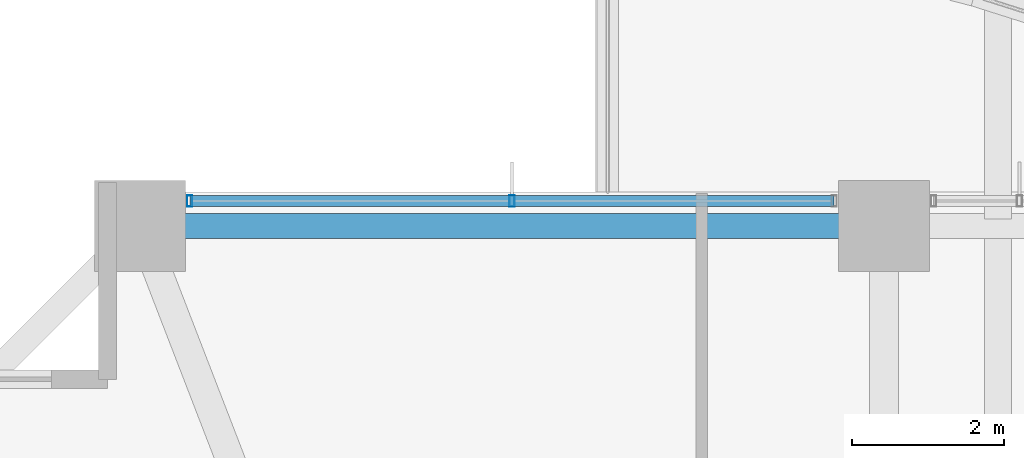
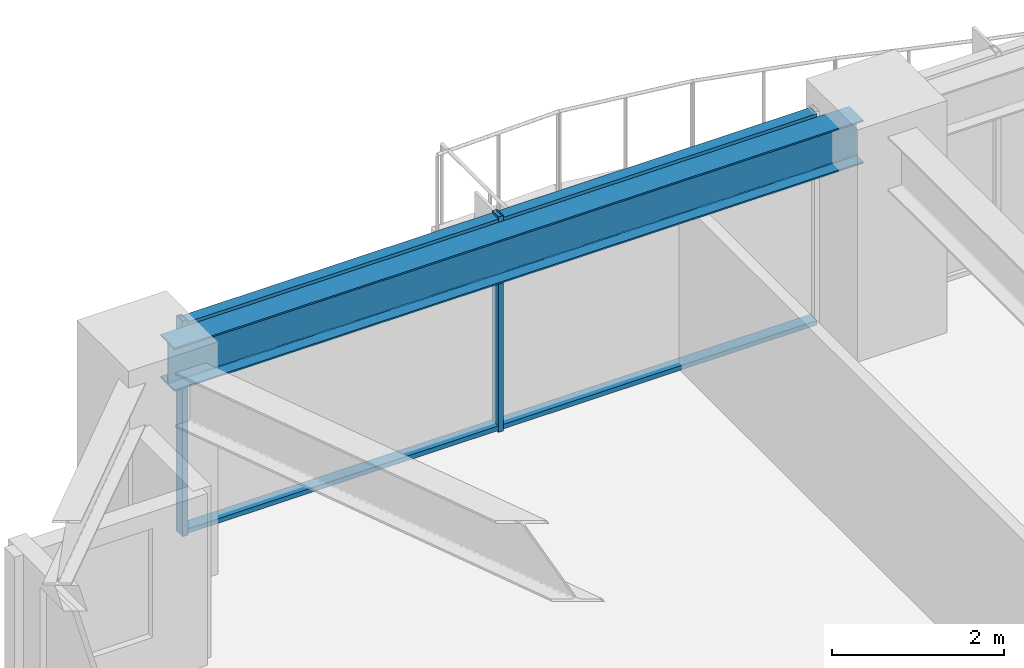
# One storey, part 19 of 38: 4 members, 1 beam, 1 element without a shape of its own.
"""IFC4 building model written with IfcOpenShell, lengths in metres."""

import ifcopenshell
import ifcopenshell.guid

model = None  # the IFC model being written
_history = None  # IfcOwnerHistory: only IFC2X3 demands one
_inside = {}  # id of a spatial element -> (the spatial element, [elements in it])
_under = {}  # id of a project, library or spatial element -> (it, [spatial elements below it])
_declared = {}  # id of a project -> (the project, [libraries it declares])
_typed = {}  # id of a type object -> (the type object, [elements of that type])
_made_of = {}  # id of a material, layer set ... -> (it, [elements and type objects made of it])


def new_model(schema):
    """Start an empty IFC model of exactly this schema.

    Asked for "IFC4X3", IfcOpenShell would pick the latest addendum, in which some entities
    have other attributes; the version numbers below select the first issue.
    IFC2X3 requires an IfcOwnerHistory on every rooted entity: one is made here for all.
    """
    global model, _history
    if schema == "IFC4X3":
        model = ifcopenshell.file(schema_version=(4, 3, 0, 0))
    else:
        model = ifcopenshell.file(schema=schema)
    _inside.clear()
    _under.clear()
    _declared.clear()
    _typed.clear()
    _made_of.clear()
    _history = None
    if model.schema == "IFC2X3":
        org = make("IfcOrganization", Name="unknown")
        user = make(
            "IfcPersonAndOrganization",
            ThePerson=make("IfcPerson", FamilyName="unknown"),
            TheOrganization=org,
        )
        app = make(
            "IfcApplication",
            ApplicationDeveloper=org,
            Version="unknown",
            ApplicationFullName="unknown",
            ApplicationIdentifier="unknown",
        )
        _history = make(
            "IfcOwnerHistory",
            OwningUser=user,
            OwningApplication=app,
            ChangeAction="ADDED",
            CreationDate=0,
        )
    return model


def make(cls, **values):
    """One entity of the class cls with the attributes given. An attribute that is None is left unset."""
    return model.create_entity(
        cls, **{name: value for name, value in values.items() if value is not None}
    )


def rooted(cls, **values):
    """An entity with a GlobalId (a new one), such as an element, a storey or a relation."""
    return make(cls, GlobalId=ifcopenshell.guid.new(), OwnerHistory=_history, **values)


def si_unit(unit_type, name, prefix=None):
    """IfcSIUnit, for example si_unit("LENGTHUNIT", "METRE", prefix="MILLI")."""
    return make("IfcSIUnit", UnitType=unit_type, Prefix=prefix, Name=name)


def assignment(units):
    """IfcUnitAssignment: the units of a project."""
    return None if units is None else make("IfcUnitAssignment", Units=units)


def point(xyz):
    """IfcCartesianPoint."""
    return None if xyz is None else make("IfcCartesianPoint", Coordinates=xyz)


def direction(xyz):
    """IfcDirection."""
    return None if xyz is None else make("IfcDirection", DirectionRatios=xyz)


def frame(location, z_axis=None, x_axis=None):
    """IfcAxis2Placement3D, a coordinate frame: its origin and axes. An axis left out is left unset."""
    return make(
        "IfcAxis2Placement3D",
        Location=point(location),
        Axis=direction(z_axis),
        RefDirection=direction(x_axis),
    )


def frame_2d(location, x_axis=None):
    """IfcAxis2Placement2D, a coordinate frame in the plane: its origin and x axis."""
    return make(
        "IfcAxis2Placement2D", Location=point(location), RefDirection=direction(x_axis)
    )


def origin():
    """The frame at (0, 0, 0) with its axes left unset."""
    return frame((0.0, 0.0, 0.0))


def origin_2d():
    """The frame at (0, 0) in the plane with its x axis left unset."""
    return frame_2d((0.0, 0.0))


def place(relative_to, where):
    """IfcLocalPlacement: puts the frame where relative to a parent placement (None: the world)."""
    return make(
        "IfcLocalPlacement", PlacementRelTo=relative_to, RelativePlacement=where
    )


def context(
    kind, dimensions, precision=None, world=None, true_north=None, identifier=None
):
    """IfcGeometricRepresentationContext, for example the 3D "Model" context."""
    return make(
        "IfcGeometricRepresentationContext",
        ContextIdentifier=identifier,
        ContextType=kind,
        CoordinateSpaceDimension=dimensions,
        Precision=precision,
        WorldCoordinateSystem=world,
        TrueNorth=true_north,
    )


def subcontext(parent, identifier, kind, view, scale=None):
    """IfcGeometricRepresentationSubContext, for example "Body" below "Model"."""
    return make(
        "IfcGeometricRepresentationSubContext",
        ContextIdentifier=identifier,
        ContextType=kind,
        ParentContext=parent,
        TargetScale=scale,
        TargetView=view,
    )


def project(units=None, contexts=None):
    """IfcProject with its units and contexts."""
    return rooted(
        "IfcProject",
        Name="project",
        RepresentationContexts=contexts,
        UnitsInContext=assignment(units),
    )


def spatial(cls, under=None, at=None, **own):
    """A site, building, storey or space (cls), placed at a placement, below another one or the project."""
    s = rooted(cls, ObjectPlacement=at, **own)
    if under is not None:
        _under.setdefault(under.id(), (under, []))[1].append(s)
    return s


def profile(cls, at=None, kind="AREA", **sizes):
    """A parametric profile (cls). Its sizes go by their IFC names, for example OverallWidth=200.0."""
    return make(cls, ProfileType=kind, Position=at, **sizes)


def hollow_rectangle(**sizes):
    """IfcRectangleHollowProfileDef."""
    return profile("IfcRectangleHollowProfileDef", **sizes)


def i_section(**sizes):
    """IfcIShapeProfileDef."""
    return profile("IfcIShapeProfileDef", **sizes)


def extrude(swept, where, along, depth):
    """IfcExtrudedAreaSolid: the profile swept, set in the frame where, extruded along a direction by depth."""
    return make(
        "IfcExtrudedAreaSolid",
        SweptArea=swept,
        Position=where,
        ExtrudedDirection=direction(along),
        Depth=depth,
    )


def shape(context_of_items, identifier, shape_type, items):
    """IfcShapeRepresentation: the items that make up one representation, for example the "Body"."""
    return make(
        "IfcShapeRepresentation",
        ContextOfItems=context_of_items,
        RepresentationIdentifier=identifier,
        RepresentationType=shape_type,
        Items=items,
    )


def material(Name=None, Category=None):
    """IfcMaterial."""
    return make("IfcMaterial", Name=Name, Category=Category)


def material_profile(
    of_material, cross_section, Name=None, Category=None, Priority=None
):
    """IfcMaterialProfile: a cross section and its material."""
    return make(
        "IfcMaterialProfile",
        Name=Name,
        Material=of_material,
        Profile=cross_section,
        Priority=Priority,
        Category=Category,
    )


def profile_set(profiles, Name=None, composite=None):
    """IfcMaterialProfileSet."""
    return make(
        "IfcMaterialProfileSet",
        Name=Name,
        MaterialProfiles=profiles,
        CompositeProfile=composite,
    )


def made_of(thing, what):
    """Note that an element or type object is made of a material, layer set ...; save() writes the relation."""
    if what is not None:
        _made_of.setdefault(what.id(), (what, []))[1].append(thing)
    return thing


def type_object(cls, material=None, **own):
    """A type object (cls), such as IfcWallType, which elements share."""
    return made_of(rooted(cls, **own), material)


def element(
    cls,
    number,
    at=None,
    inside=None,
    cuts=None,
    type_object=None,
    material=None,
    context=None,
    identifier="Body",
    shape_type=None,
    held_by="IfcProductDefinitionShape",
    body=None,
    shapes=None,
    **own,
):
    """One element of the class cls, such as IfcWall. Its Tag is "e" and its number.

    at: its placement. inside: the storey or other place that contains it. cuts: it is an
    opening in that element (IfcRelVoidsElement). A single representation is given by context,
    identifier, shape_type and body (its items); several are given by shapes. held_by: the class
    of the entity that holds the representations. save() writes the other relations.
    """
    e = rooted(cls, Tag="e%d" % number, ObjectPlacement=at, **own)
    if body is not None:
        shapes = [shape(context, identifier, shape_type, body)]
    if shapes is not None:
        e.Representation = make(held_by, Representations=shapes)
    if inside is not None:
        _inside.setdefault(inside.id(), (inside, []))[1].append(e)
    if cuts is not None:
        rooted(
            "IfcRelVoidsElement", RelatingBuildingElement=cuts, RelatedOpeningElement=e
        )
    if type_object is not None:
        _typed.setdefault(type_object.id(), (type_object, []))[1].append(e)
    return made_of(e, material)


def aggregate(whole, parts):
    """IfcRelAggregates: a whole, such as a stair, and the parts it consists of."""
    return rooted("IfcRelAggregates", RelatingObject=whole, RelatedObjects=parts)


def save(model, path):
    """Write the relations noted so far, then the file.

    IfcRelAggregates (storeys below a building ...), IfcRelContainedInSpatialStructure (elements
    in a storey), IfcRelDefinesByType, IfcRelAssociatesMaterial and IfcRelDeclares: one each for
    every whole, place, type object, material and project.
    """
    for whole, parts in _under.values():
        aggregate(whole, parts)
    for where, things in _inside.values():
        rooted(
            "IfcRelContainedInSpatialStructure",
            RelatedElements=things,
            RelatingStructure=where,
        )
    for kind, things in _typed.values():
        rooted("IfcRelDefinesByType", RelatedObjects=things, RelatingType=kind)
    for what, things in _made_of.values():
        rooted("IfcRelAssociatesMaterial", RelatedObjects=things, RelatingMaterial=what)
    for by, libraries in _declared.values():
        rooted("IfcRelDeclares", RelatingContext=by, RelatedDefinitions=libraries)
    model.write(path)


model = new_model("IFC4")

# Units and contexts
model_context = context("Model", 3, precision=1e-05, world=origin(), true_north=direction((0.0, 1.0)))
body_context = subcontext(model_context, "Body", "Model", "MODEL_VIEW")
ifc_project = project(units=[si_unit("LENGTHUNIT", "METRE"), si_unit("AREAUNIT", "SQUARE_METRE"), si_unit("VOLUMEUNIT", "CUBIC_METRE"), si_unit("PLANEANGLEUNIT", "RADIAN"), si_unit("MASSUNIT", "GRAM", prefix="KILO")], contexts=[model_context])

# Site, building, storey
site_placement = place(None, origin())
site = spatial("IfcSite", under=ifc_project, at=site_placement, CompositionType="ELEMENT")
building_placement = place(site_placement, origin())
building = spatial("IfcBuilding", under=site, at=building_placement, Name="Kolvaren Belvedere", CompositionType="ELEMENT")
storey_placement = place(building_placement, frame((0.0, 0.0, 30.39990234375)))
storey = spatial("IfcBuildingStorey", under=building, at=storey_placement, Name="L08", CompositionType="ELEMENT", Elevation=30.39990234375)

# Beam
ifc_material_1 = material(Name="Structural steel ASTM A992 Grade 50", Category="steel")
ifc_material_profile_1 = material_profile(ifc_material_1, i_section(OverallWidth=0.324951171875, OverallDepth=0.615966796875, WebThickness=0.013916015625, FlangeThickness=0.021484375, FilletRadius=0.02001953125, at=origin_2d()), Name="W24X117")
ifc_profile_set_1 = profile_set([ifc_material_profile_1], Name="Structural steel ASTM A992 Grade 50")
beam_type = type_object("IfcBeamType", Name="BM-SPAN-W24X117", PredefinedType="SPANDREL", material=ifc_profile_set_1)
beam_placement = place(storey_placement, frame((-4.8701171875, 21.550048828125, 2.752197265625), z_axis=(-1.0, 0.0, 0.0), x_axis=(0.0, -1.0, 0.0)))
element("IfcBeam", 1, at=beam_placement, inside=storey, type_object=beam_type, Name="L08 Perimeter Spandrel N2-N1", PredefinedType="SPANDREL", context=body_context, shape_type="SweptSolid", body=[
    extrude(i_section(OverallWidth=0.324951171875, OverallDepth=0.615966796875, WebThickness=0.013916015625, FlangeThickness=0.021484375, FilletRadius=0.02001953125, at=origin_2d()), origin(), (0.0, 0.0, 1.0), 9.259765625),
])

# Curtain wall, members
ifc_material_2 = material(Name="Anodised pale-metal aluminium AA 6063-T6", Category="aluminium")
curtain_wall_type = type_object("IfcCurtainWallType", Name="CW-Z1-LOW", PredefinedType="NOTDEFINED", material=ifc_material_2)
curtain_wall_placement = place(storey_placement, origin())
curtain_wall = element("IfcCurtainWall", 2, at=curtain_wall_placement, inside=storey, type_object=curtain_wall_type, Name="L08 Unitised Curtain Wall FCW-L08-N1-B1", PredefinedType="NOTDEFINED")
ifc_material_3 = material(Name="Anodised pale-metal aluminium AA 6063-T6", Category="aluminium")
ifc_material_profile_2 = material_profile(ifc_material_3, hollow_rectangle(XDim=0.070068359375, YDim=0.14990234375, WallThickness=0.004150390625, at=origin_2d()), Name="ALU-MUL-150X70")
ifc_profile_set_2 = profile_set([ifc_material_profile_2], Name="Anodised pale-metal aluminium AA 6063-T6")
member_type_1 = type_object("IfcMemberType", Name="CW-MUL-150", PredefinedType="MULLION", material=ifc_profile_set_2)
member_1_placement = place(storey_placement, frame((-13.7451171875, 21.8798828125, 0.0), z_axis=(0.0, 0.0, 1.0), x_axis=(1.0, 0.0, 0.0)))
member_1 = element("IfcMember", 3, at=member_1_placement, type_object=member_type_1, Name="FCW-L08-N1-B1 Unitised Mullion 1", PredefinedType="MULLION", context=body_context, shape_type="SweptSolid", body=[
    extrude(hollow_rectangle(XDim=0.070068359375, YDim=0.14990234375, WallThickness=0.004150390625, at=origin_2d()), origin(), (0.0, 0.0, 1.0), 3.06005859375),
])
member_2_placement = place(storey_placement, frame((-9.5, 21.8798828125, 0.0), z_axis=(0.0, 0.0, 1.0), x_axis=(1.0, 0.0, 0.0)))
member_2 = element("IfcMember", 4, at=member_2_placement, type_object=member_type_1, Name="FCW-L08-N1-B1 Unitised Mullion 2", PredefinedType="MULLION", context=body_context, shape_type="SweptSolid", body=[
    extrude(hollow_rectangle(XDim=0.070068359375, YDim=0.14990234375, WallThickness=0.004150390625, at=origin_2d()), origin(), (0.0, 0.0, 1.0), 3.06005859375),
])
ifc_material_4 = material(Name="Anodised pale-metal aluminium AA 6063-T6", Category="aluminium")
ifc_material_profile_3 = material_profile(ifc_material_4, hollow_rectangle(XDim=0.06494140625, YDim=0.14990234375, WallThickness=0.00390625, at=origin_2d()), Name="ALU-TRN-150X65")
ifc_profile_set_3 = profile_set([ifc_material_profile_3], Name="Anodised pale-metal aluminium AA 6063-T6")
member_type_2 = type_object("IfcMemberType", Name="CW-TRN-150", PredefinedType="USERDEFINED", material=ifc_profile_set_3)
member_3_placement = place(storey_placement, frame((-13.7451171875, 21.8798828125, 0.06005859375), z_axis=(1.0, 0.0, 0.0), x_axis=(0.0, 0.0, 1.0)))
member_3 = element("IfcMember", 5, at=member_3_placement, type_object=member_type_2, Name="FCW-L08-N1-B1 Sill Transom", ObjectType="TRANSOM", PredefinedType="USERDEFINED", context=body_context, shape_type="SweptSolid", body=[
    extrude(hollow_rectangle(XDim=0.06494140625, YDim=0.14990234375, WallThickness=0.00390625, at=origin_2d()), origin(), (0.0, 0.0, 1.0), 8.490234375),
])
member_4_placement = place(storey_placement, frame((-13.7451171875, 21.8798828125, 3.0), z_axis=(1.0, 0.0, 0.0), x_axis=(0.0, 0.0, 1.0)))
member_4 = element("IfcMember", 6, at=member_4_placement, type_object=member_type_2, Name="FCW-L08-N1-B1 Head Transom", ObjectType="TRANSOM", PredefinedType="USERDEFINED", context=body_context, shape_type="SweptSolid", body=[
    extrude(hollow_rectangle(XDim=0.06494140625, YDim=0.14990234375, WallThickness=0.00390625, at=origin_2d()), origin(), (0.0, 0.0, 1.0), 8.490234375),
])
aggregate(curtain_wall, [member_1, member_2, member_3, member_4])

save(model, "model.ifc")
